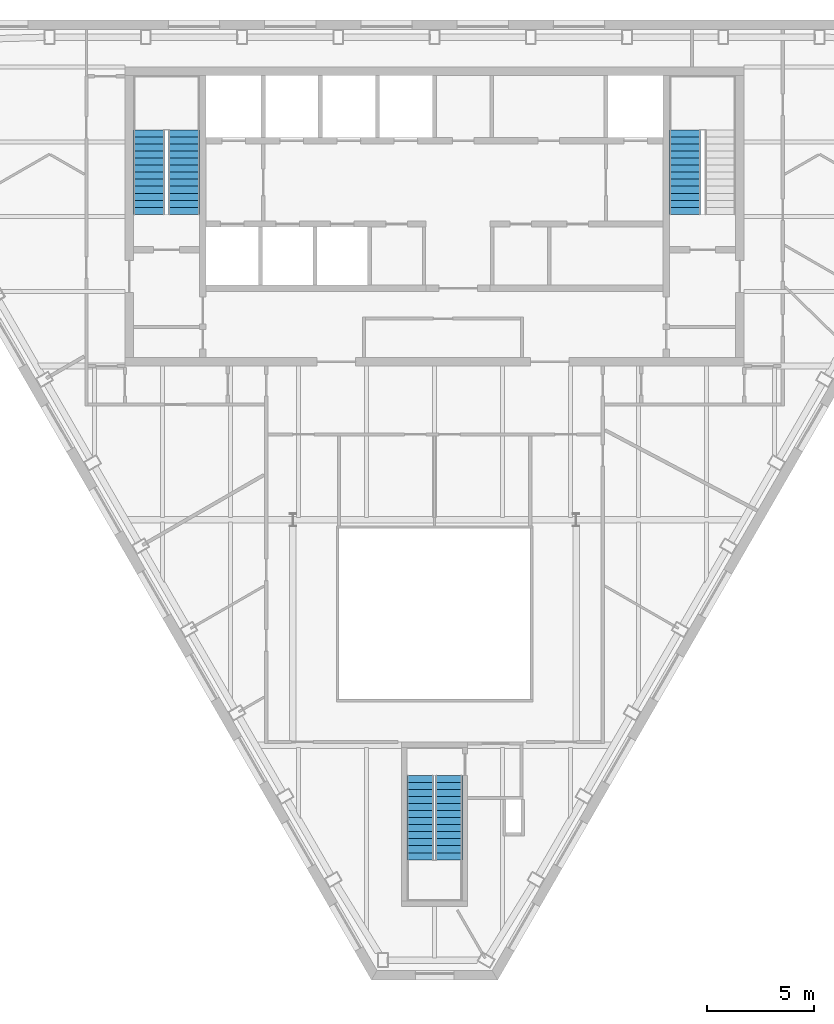
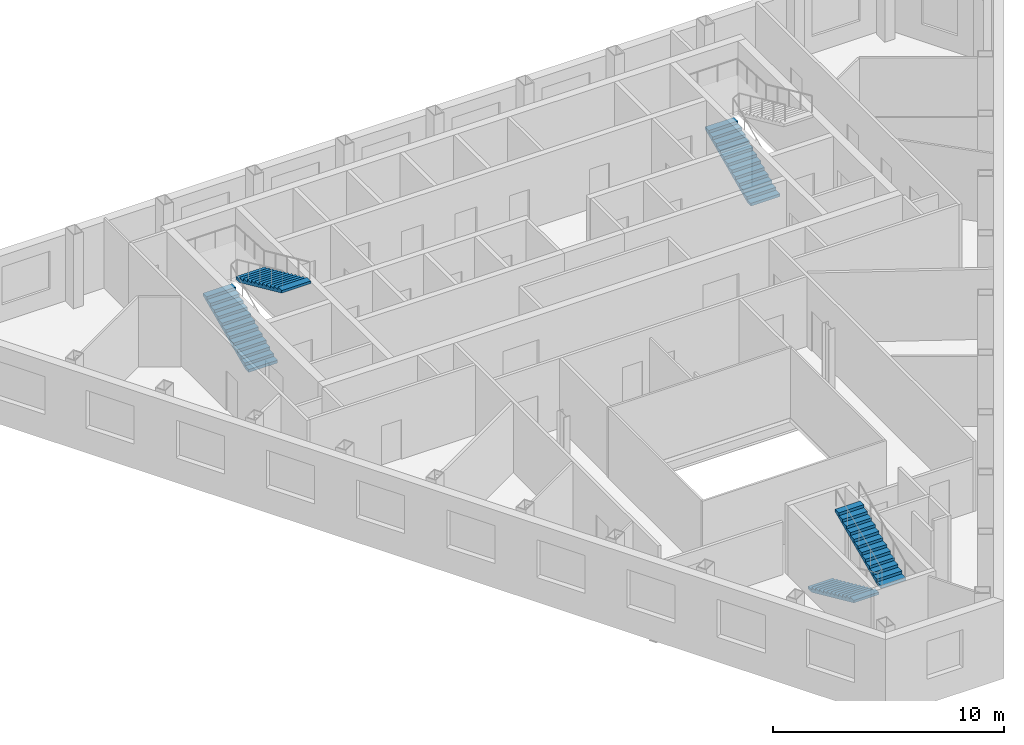
# One storey, part 8 of 10: 5 stair flights, 3 elements without a shape of their own.
"""IFC4 building model written with IfcOpenShell, lengths in metres."""

from ifc_helpers import new_model, si_unit, direction, frame, origin, place, context, subcontext, project, spatial, polygons, material, type_object, element, aggregate, save


model = new_model("IFC4")

# Units and contexts
model_context = context("Model", 3, precision=1e-05, world=origin(), true_north=direction((0.0, 1.0)))
body_context = subcontext(model_context, "Body", "Model", "MODEL_VIEW")
ifc_project = project(units=[si_unit("LENGTHUNIT", "METRE"), si_unit("AREAUNIT", "SQUARE_METRE"), si_unit("VOLUMEUNIT", "CUBIC_METRE"), si_unit("PLANEANGLEUNIT", "RADIAN"), si_unit("MASSUNIT", "GRAM", prefix="KILO")], contexts=[model_context])

# Site, building, storey
site_placement = place(None, origin())
site = spatial("IfcSite", under=ifc_project, at=site_placement, CompositionType="ELEMENT")
building_placement = place(site_placement, origin())
building = spatial("IfcBuilding", under=site, at=building_placement, Name="Njiva Tower", CompositionType="ELEMENT")
storey_placement = place(building_placement, frame((0.0, 0.0, 264.9)))
storey = spatial("IfcBuildingStorey", under=building, at=storey_placement, Name="L60", CompositionType="ELEMENT", Elevation=264.9)

# Stair, stair flights
ifc_material = material(Name="Concrete C40/50", Category="concrete")
stair_type_1 = type_object("IfcStairType", Name="ST1 Exit stair 1250", PredefinedType="HALF_TURN_STAIR", material=ifc_material)
stair_1_placement = place(storey_placement, origin())
stair_1 = element("IfcStair", 1, at=stair_1_placement, inside=storey, type_object=stair_type_1, Name="Stair C", PredefinedType="HALF_TURN_STAIR")
stair_flight_type_1 = type_object("IfcStairFlightType", Name="FL1 Stair flight 1250", PredefinedType="STRAIGHT", material=ifc_material)
stair_flight_1_placement = place(storey_placement, frame((-0.675, -15.16, 0.0), z_axis=(0.0, 0.0, 1.0), x_axis=(0.0, -1.0, 0.0)))
stair_flight_1 = element("IfcStairFlight", 2, at=stair_flight_1_placement, type_object=stair_flight_type_1, Name="ST-C flight 1", NumberOfRisers=13, NumberOfTreads=12, PredefinedType="STRAIGHT", RiserHeight=0.15, TreadLength=0.33, context=body_context, shape_type="Tessellation", body=[
    polygons([(0.0, 0.625, 0.0), (0.0, 0.3125, 0.0), (0.0, 0.0, 0.0), (0.0, -0.3125, 0.0), (0.0, -0.625, 0.0), (0.0, 0.625, 0.15), (0.0, 0.3125, 0.15), (0.0, 0.0, 0.15), (0.0, -0.3125, 0.15), (0.0, -0.625, 0.15), (0.33, 0.625, 0.15), (0.33, 0.3125, 0.15), (0.33, 0.0, 0.15), (0.33, -0.3125, 0.15), (0.33, -0.625, 0.15), (0.33, 0.625, 0.3), (0.33, 0.3125, 0.3), (0.33, 0.0, 0.3), (0.33, -0.3125, 0.3), (0.33, -0.625, 0.3), (0.66, 0.625, 0.3), (0.66, 0.3125, 0.3), (0.66, 0.0, 0.3), (0.66, -0.3125, 0.3), (0.66, -0.625, 0.3), (0.66, 0.625, 0.45), (0.66, 0.3125, 0.45), (0.66, 0.0, 0.45), (0.66, -0.3125, 0.45), (0.66, -0.625, 0.45), (0.99, 0.625, 0.45), (0.99, 0.3125, 0.45), (0.99, 0.0, 0.45), (0.99, -0.3125, 0.45), (0.99, -0.625, 0.45), (0.99, 0.625, 0.6), (0.99, 0.3125, 0.6), (0.99, 0.0, 0.6), (0.99, -0.3125, 0.6), (0.99, -0.625, 0.6), (1.32, 0.625, 0.6), (1.32, 0.3125, 0.6), (1.32, 0.0, 0.6), (1.32, -0.3125, 0.6), (1.32, -0.625, 0.6), (1.32, 0.625, 0.75), (1.32, 0.3125, 0.75), (1.32, 0.0, 0.75), (1.32, -0.3125, 0.75), (1.32, -0.625, 0.75), (1.65, 0.625, 0.75), (1.65, 0.3125, 0.75), (1.65, 0.0, 0.75), (1.65, -0.3125, 0.75), (1.65, -0.625, 0.75), (1.65, 0.625, 0.9), (1.65, 0.3125, 0.9), (1.65, 0.0, 0.9), (1.65, -0.3125, 0.9), (1.65, -0.625, 0.9), (1.98, 0.625, 0.9), (1.98, 0.3125, 0.9), (1.98, 0.0, 0.9), (1.98, -0.3125, 0.9), (1.98, -0.625, 0.9), (1.98, 0.625, 1.05), (1.98, 0.3125, 1.05), (1.98, 0.0, 1.05), (1.98, -0.3125, 1.05), (1.98, -0.625, 1.05), (2.31, 0.625, 1.05), (2.31, 0.3125, 1.05), (2.31, 0.0, 1.05), (2.31, -0.3125, 1.05), (2.31, -0.625, 1.05), (2.31, 0.625, 1.2), (2.31, 0.3125, 1.2), (2.31, 0.0, 1.2), (2.31, -0.3125, 1.2), (2.31, -0.625, 1.2), (2.64, 0.625, 1.2), (2.64, 0.3125, 1.2), (2.64, 0.0, 1.2), (2.64, -0.3125, 1.2), (2.64, -0.625, 1.2), (2.64, 0.625, 1.35), (2.64, 0.3125, 1.35), (2.64, 0.0, 1.35), (2.64, -0.3125, 1.35), (2.64, -0.625, 1.35), (2.97, 0.625, 1.35), (2.97, 0.3125, 1.35), (2.97, 0.0, 1.35), (2.97, -0.3125, 1.35), (2.97, -0.625, 1.35), (2.97, 0.625, 1.5), (2.97, 0.3125, 1.5), (2.97, 0.0, 1.5), (2.97, -0.3125, 1.5), (2.97, -0.625, 1.5), (3.3, 0.625, 1.5), (3.3, 0.3125, 1.5), (3.3, 0.0, 1.5), (3.3, -0.3125, 1.5), (3.3, -0.625, 1.5), (3.3, 0.625, 1.65), (3.3, 0.3125, 1.65), (3.3, 0.0, 1.65), (3.3, -0.3125, 1.65), (3.3, -0.625, 1.65), (3.63, 0.625, 1.65), (3.63, 0.3125, 1.65), (3.63, 0.0, 1.65), (3.63, -0.3125, 1.65), (3.63, -0.625, 1.65), (3.63, 0.625, 1.8), (3.63, 0.3125, 1.8), (3.63, 0.0, 1.8), (3.63, -0.3125, 1.8), (3.63, -0.625, 1.8), (3.96, 0.625, 1.8), (3.96, 0.3125, 1.8), (3.96, 0.0, 1.8), (3.96, -0.3125, 1.8), (3.96, -0.625, 1.8), (3.96, 0.625, 1.6682), (3.96, 0.3125, 1.6682), (3.96, 0.0, 1.6682), (3.96, -0.3125, 1.6682), (3.96, -0.625, 1.6682), (0.29, 0.625, 0.0), (0.29, 0.3125, 0.0), (0.29, 0.0, 0.0), (0.29, -0.3125, 0.0), (0.29, -0.625, 0.0)], [[[1, 6, 11, 16, 21, 26, 31, 36, 41, 46, 51, 56, 61, 66, 71, 76, 81, 86, 91, 96, 101, 106, 111, 116, 121, 126, 131]], [[135, 130, 125, 120, 115, 110, 105, 100, 95, 90, 85, 80, 75, 70, 65, 60, 55, 50, 45, 40, 35, 30, 25, 20, 15, 10, 5]], [[6, 1, 2, 7]], [[7, 2, 3, 8]], [[8, 3, 4, 9]], [[9, 4, 5, 10]], [[11, 6, 7, 12]], [[12, 7, 8, 13]], [[13, 8, 9, 14]], [[14, 9, 10, 15]], [[16, 11, 12, 17]], [[17, 12, 13, 18]], [[18, 13, 14, 19]], [[19, 14, 15, 20]], [[21, 16, 17, 22]], [[22, 17, 18, 23]], [[23, 18, 19, 24]], [[24, 19, 20, 25]], [[26, 21, 22, 27]], [[27, 22, 23, 28]], [[28, 23, 24, 29]], [[29, 24, 25, 30]], [[31, 26, 27, 32]], [[32, 27, 28, 33]], [[33, 28, 29, 34]], [[34, 29, 30, 35]], [[36, 31, 32, 37]], [[37, 32, 33, 38]], [[38, 33, 34, 39]], [[39, 34, 35, 40]], [[41, 36, 37, 42]], [[42, 37, 38, 43]], [[43, 38, 39, 44]], [[44, 39, 40, 45]], [[46, 41, 42, 47]], [[47, 42, 43, 48]], [[48, 43, 44, 49]], [[49, 44, 45, 50]], [[51, 46, 47, 52]], [[52, 47, 48, 53]], [[53, 48, 49, 54]], [[54, 49, 50, 55]], [[56, 51, 52, 57]], [[57, 52, 53, 58]], [[58, 53, 54, 59]], [[59, 54, 55, 60]], [[61, 56, 57, 62]], [[62, 57, 58, 63]], [[63, 58, 59, 64]], [[64, 59, 60, 65]], [[66, 61, 62, 67]], [[67, 62, 63, 68]], [[68, 63, 64, 69]], [[69, 64, 65, 70]], [[71, 66, 67, 72]], [[72, 67, 68, 73]], [[73, 68, 69, 74]], [[74, 69, 70, 75]], [[76, 71, 72, 77]], [[77, 72, 73, 78]], [[78, 73, 74, 79]], [[79, 74, 75, 80]], [[81, 76, 77, 82]], [[82, 77, 78, 83]], [[83, 78, 79, 84]], [[84, 79, 80, 85]], [[86, 81, 82, 87]], [[87, 82, 83, 88]], [[88, 83, 84, 89]], [[89, 84, 85, 90]], [[91, 86, 87, 92]], [[92, 87, 88, 93]], [[93, 88, 89, 94]], [[94, 89, 90, 95]], [[96, 91, 92, 97]], [[97, 92, 93, 98]], [[98, 93, 94, 99]], [[99, 94, 95, 100]], [[101, 96, 97, 102]], [[102, 97, 98, 103]], [[103, 98, 99, 104]], [[104, 99, 100, 105]], [[106, 101, 102, 107]], [[107, 102, 103, 108]], [[108, 103, 104, 109]], [[109, 104, 105, 110]], [[111, 106, 107, 112]], [[112, 107, 108, 113]], [[113, 108, 109, 114]], [[114, 109, 110, 115]], [[116, 111, 112, 117]], [[117, 112, 113, 118]], [[118, 113, 114, 119]], [[119, 114, 115, 120]], [[121, 116, 117, 122]], [[122, 117, 118, 123]], [[123, 118, 119, 124]], [[124, 119, 120, 125]], [[126, 121, 122, 127]], [[127, 122, 123, 128]], [[128, 123, 124, 129]], [[129, 124, 125, 130]], [[131, 126, 127, 132]], [[132, 127, 128, 133]], [[133, 128, 129, 134]], [[134, 129, 130, 135]], [[1, 131, 132, 2]], [[2, 132, 133, 3]], [[3, 133, 134, 4]], [[4, 134, 135, 5]]], closed=True),
])
stair_flight_2_placement = place(storey_placement, frame((0.675, -19.12, 1.95), z_axis=(0.0, 0.0, 1.0), x_axis=(0.0, 1.0, 0.0)))
stair_flight_2 = element("IfcStairFlight", 3, at=stair_flight_2_placement, type_object=stair_flight_type_1, Name="ST-C flight 2", NumberOfRisers=13, NumberOfTreads=12, PredefinedType="STRAIGHT", RiserHeight=0.15, TreadLength=0.33, context=body_context, shape_type="Tessellation", body=[
    polygons([(0.0, 0.625, 0.0), (0.0, 0.3125, 0.0), (0.0, 0.0, 0.0), (0.0, -0.3125, 0.0), (0.0, -0.625, 0.0), (0.0, 0.625, 0.15), (0.0, 0.3125, 0.15), (0.0, 0.0, 0.15), (0.0, -0.3125, 0.15), (0.0, -0.625, 0.15), (0.33, 0.625, 0.15), (0.33, 0.3125, 0.15), (0.33, 0.0, 0.15), (0.33, -0.3125, 0.15), (0.33, -0.625, 0.15), (0.33, 0.625, 0.3), (0.33, 0.3125, 0.3), (0.33, 0.0, 0.3), (0.33, -0.3125, 0.3), (0.33, -0.625, 0.3), (0.66, 0.625, 0.3), (0.66, 0.3125, 0.3), (0.66, 0.0, 0.3), (0.66, -0.3125, 0.3), (0.66, -0.625, 0.3), (0.66, 0.625, 0.45), (0.66, 0.3125, 0.45), (0.66, 0.0, 0.45), (0.66, -0.3125, 0.45), (0.66, -0.625, 0.45), (0.99, 0.625, 0.45), (0.99, 0.3125, 0.45), (0.99, 0.0, 0.45), (0.99, -0.3125, 0.45), (0.99, -0.625, 0.45), (0.99, 0.625, 0.6), (0.99, 0.3125, 0.6), (0.99, 0.0, 0.6), (0.99, -0.3125, 0.6), (0.99, -0.625, 0.6), (1.32, 0.625, 0.6), (1.32, 0.3125, 0.6), (1.32, 0.0, 0.6), (1.32, -0.3125, 0.6), (1.32, -0.625, 0.6), (1.32, 0.625, 0.75), (1.32, 0.3125, 0.75), (1.32, 0.0, 0.75), (1.32, -0.3125, 0.75), (1.32, -0.625, 0.75), (1.65, 0.625, 0.75), (1.65, 0.3125, 0.75), (1.65, 0.0, 0.75), (1.65, -0.3125, 0.75), (1.65, -0.625, 0.75), (1.65, 0.625, 0.9), (1.65, 0.3125, 0.9), (1.65, 0.0, 0.9), (1.65, -0.3125, 0.9), (1.65, -0.625, 0.9), (1.98, 0.625, 0.9), (1.98, 0.3125, 0.9), (1.98, 0.0, 0.9), (1.98, -0.3125, 0.9), (1.98, -0.625, 0.9), (1.98, 0.625, 1.05), (1.98, 0.3125, 1.05), (1.98, 0.0, 1.05), (1.98, -0.3125, 1.05), (1.98, -0.625, 1.05), (2.31, 0.625, 1.05), (2.31, 0.3125, 1.05), (2.31, 0.0, 1.05), (2.31, -0.3125, 1.05), (2.31, -0.625, 1.05), (2.31, 0.625, 1.2), (2.31, 0.3125, 1.2), (2.31, 0.0, 1.2), (2.31, -0.3125, 1.2), (2.31, -0.625, 1.2), (2.64, 0.625, 1.2), (2.64, 0.3125, 1.2), (2.64, 0.0, 1.2), (2.64, -0.3125, 1.2), (2.64, -0.625, 1.2), (2.64, 0.625, 1.35), (2.64, 0.3125, 1.35), (2.64, 0.0, 1.35), (2.64, -0.3125, 1.35), (2.64, -0.625, 1.35), (2.97, 0.625, 1.35), (2.97, 0.3125, 1.35), (2.97, 0.0, 1.35), (2.97, -0.3125, 1.35), (2.97, -0.625, 1.35), (2.97, 0.625, 1.5), (2.97, 0.3125, 1.5), (2.97, 0.0, 1.5), (2.97, -0.3125, 1.5), (2.97, -0.625, 1.5), (3.3, 0.625, 1.5), (3.3, 0.3125, 1.5), (3.3, 0.0, 1.5), (3.3, -0.3125, 1.5), (3.3, -0.625, 1.5), (3.3, 0.625, 1.65), (3.3, 0.3125, 1.65), (3.3, 0.0, 1.65), (3.3, -0.3125, 1.65), (3.3, -0.625, 1.65), (3.63, 0.625, 1.65), (3.63, 0.3125, 1.65), (3.63, 0.0, 1.65), (3.63, -0.3125, 1.65), (3.63, -0.625, 1.65), (3.63, 0.625, 1.8), (3.63, 0.3125, 1.8), (3.63, 0.0, 1.8), (3.63, -0.3125, 1.8), (3.63, -0.625, 1.8), (3.96, 0.625, 1.8), (3.96, 0.3125, 1.8), (3.96, 0.0, 1.8), (3.96, -0.3125, 1.8), (3.96, -0.625, 1.8), (3.96, 0.625, 1.6682), (3.96, 0.3125, 1.6682), (3.96, 0.0, 1.6682), (3.96, -0.3125, 1.6682), (3.96, -0.625, 1.6682), (0.29, 0.625, 0.0), (0.29, 0.3125, 0.0), (0.29, 0.0, 0.0), (0.29, -0.3125, 0.0), (0.29, -0.625, 0.0)], [[[1, 6, 11, 16, 21, 26, 31, 36, 41, 46, 51, 56, 61, 66, 71, 76, 81, 86, 91, 96, 101, 106, 111, 116, 121, 126, 131]], [[135, 130, 125, 120, 115, 110, 105, 100, 95, 90, 85, 80, 75, 70, 65, 60, 55, 50, 45, 40, 35, 30, 25, 20, 15, 10, 5]], [[6, 1, 2, 7]], [[7, 2, 3, 8]], [[8, 3, 4, 9]], [[9, 4, 5, 10]], [[11, 6, 7, 12]], [[12, 7, 8, 13]], [[13, 8, 9, 14]], [[14, 9, 10, 15]], [[16, 11, 12, 17]], [[17, 12, 13, 18]], [[18, 13, 14, 19]], [[19, 14, 15, 20]], [[21, 16, 17, 22]], [[22, 17, 18, 23]], [[23, 18, 19, 24]], [[24, 19, 20, 25]], [[26, 21, 22, 27]], [[27, 22, 23, 28]], [[28, 23, 24, 29]], [[29, 24, 25, 30]], [[31, 26, 27, 32]], [[32, 27, 28, 33]], [[33, 28, 29, 34]], [[34, 29, 30, 35]], [[36, 31, 32, 37]], [[37, 32, 33, 38]], [[38, 33, 34, 39]], [[39, 34, 35, 40]], [[41, 36, 37, 42]], [[42, 37, 38, 43]], [[43, 38, 39, 44]], [[44, 39, 40, 45]], [[46, 41, 42, 47]], [[47, 42, 43, 48]], [[48, 43, 44, 49]], [[49, 44, 45, 50]], [[51, 46, 47, 52]], [[52, 47, 48, 53]], [[53, 48, 49, 54]], [[54, 49, 50, 55]], [[56, 51, 52, 57]], [[57, 52, 53, 58]], [[58, 53, 54, 59]], [[59, 54, 55, 60]], [[61, 56, 57, 62]], [[62, 57, 58, 63]], [[63, 58, 59, 64]], [[64, 59, 60, 65]], [[66, 61, 62, 67]], [[67, 62, 63, 68]], [[68, 63, 64, 69]], [[69, 64, 65, 70]], [[71, 66, 67, 72]], [[72, 67, 68, 73]], [[73, 68, 69, 74]], [[74, 69, 70, 75]], [[76, 71, 72, 77]], [[77, 72, 73, 78]], [[78, 73, 74, 79]], [[79, 74, 75, 80]], [[81, 76, 77, 82]], [[82, 77, 78, 83]], [[83, 78, 79, 84]], [[84, 79, 80, 85]], [[86, 81, 82, 87]], [[87, 82, 83, 88]], [[88, 83, 84, 89]], [[89, 84, 85, 90]], [[91, 86, 87, 92]], [[92, 87, 88, 93]], [[93, 88, 89, 94]], [[94, 89, 90, 95]], [[96, 91, 92, 97]], [[97, 92, 93, 98]], [[98, 93, 94, 99]], [[99, 94, 95, 100]], [[101, 96, 97, 102]], [[102, 97, 98, 103]], [[103, 98, 99, 104]], [[104, 99, 100, 105]], [[106, 101, 102, 107]], [[107, 102, 103, 108]], [[108, 103, 104, 109]], [[109, 104, 105, 110]], [[111, 106, 107, 112]], [[112, 107, 108, 113]], [[113, 108, 109, 114]], [[114, 109, 110, 115]], [[116, 111, 112, 117]], [[117, 112, 113, 118]], [[118, 113, 114, 119]], [[119, 114, 115, 120]], [[121, 116, 117, 122]], [[122, 117, 118, 123]], [[123, 118, 119, 124]], [[124, 119, 120, 125]], [[126, 121, 122, 127]], [[127, 122, 123, 128]], [[128, 123, 124, 129]], [[129, 124, 125, 130]], [[131, 126, 127, 132]], [[132, 127, 128, 133]], [[133, 128, 129, 134]], [[134, 129, 130, 135]], [[1, 131, 132, 2]], [[2, 132, 133, 3]], [[3, 133, 134, 4]], [[4, 134, 135, 5]]], closed=True),
])
aggregate(stair_1, [stair_flight_1, stair_flight_2])

stair_type_2 = type_object("IfcStairType", Name="ST3 Exit stair 1450", PredefinedType="HALF_TURN_STAIR", material=ifc_material)
stair_2_placement = place(storey_placement, origin())
stair_2 = element("IfcStair", 4, at=stair_2_placement, inside=storey, type_object=stair_type_2, Name="Stair A", PredefinedType="HALF_TURN_STAIR")
stair_flight_type_2 = type_object("IfcStairFlightType", Name="FL3 Stair flight 1450", PredefinedType="STRAIGHT", material=ifc_material)
stair_flight_3_placement = place(storey_placement, frame((-13.375, 11.1, 0.0), z_axis=(0.0, 0.0, 1.0), x_axis=(0.0, 1.0, 0.0)))
stair_flight_3 = element("IfcStairFlight", 5, at=stair_flight_3_placement, type_object=stair_flight_type_2, Name="ST-A flight 1", NumberOfRisers=13, NumberOfTreads=12, PredefinedType="STRAIGHT", RiserHeight=0.15, TreadLength=0.33, context=body_context, shape_type="Tessellation", body=[
    polygons([(0.0, 0.725, 0.0), (0.0, 0.3625, 0.0), (0.0, 0.0, 0.0), (0.0, -0.3625, 0.0), (0.0, -0.725, 0.0), (0.0, 0.725, 0.15), (0.0, 0.3625, 0.15), (0.0, 0.0, 0.15), (0.0, -0.3625, 0.15), (0.0, -0.725, 0.15), (0.33, 0.725, 0.15), (0.33, 0.3625, 0.15), (0.33, 0.0, 0.15), (0.33, -0.3625, 0.15), (0.33, -0.725, 0.15), (0.33, 0.725, 0.3), (0.33, 0.3625, 0.3), (0.33, 0.0, 0.3), (0.33, -0.3625, 0.3), (0.33, -0.725, 0.3), (0.66, 0.725, 0.3), (0.66, 0.3625, 0.3), (0.66, 0.0, 0.3), (0.66, -0.3625, 0.3), (0.66, -0.725, 0.3), (0.66, 0.725, 0.45), (0.66, 0.3625, 0.45), (0.66, 0.0, 0.45), (0.66, -0.3625, 0.45), (0.66, -0.725, 0.45), (0.99, 0.725, 0.45), (0.99, 0.3625, 0.45), (0.99, 0.0, 0.45), (0.99, -0.3625, 0.45), (0.99, -0.725, 0.45), (0.99, 0.725, 0.6), (0.99, 0.3625, 0.6), (0.99, 0.0, 0.6), (0.99, -0.3625, 0.6), (0.99, -0.725, 0.6), (1.32, 0.725, 0.6), (1.32, 0.3625, 0.6), (1.32, 0.0, 0.6), (1.32, -0.3625, 0.6), (1.32, -0.725, 0.6), (1.32, 0.725, 0.75), (1.32, 0.3625, 0.75), (1.32, 0.0, 0.75), (1.32, -0.3625, 0.75), (1.32, -0.725, 0.75), (1.65, 0.725, 0.75), (1.65, 0.3625, 0.75), (1.65, 0.0, 0.75), (1.65, -0.3625, 0.75), (1.65, -0.725, 0.75), (1.65, 0.725, 0.9), (1.65, 0.3625, 0.9), (1.65, 0.0, 0.9), (1.65, -0.3625, 0.9), (1.65, -0.725, 0.9), (1.98, 0.725, 0.9), (1.98, 0.3625, 0.9), (1.98, 0.0, 0.9), (1.98, -0.3625, 0.9), (1.98, -0.725, 0.9), (1.98, 0.725, 1.05), (1.98, 0.3625, 1.05), (1.98, 0.0, 1.05), (1.98, -0.3625, 1.05), (1.98, -0.725, 1.05), (2.31, 0.725, 1.05), (2.31, 0.3625, 1.05), (2.31, 0.0, 1.05), (2.31, -0.3625, 1.05), (2.31, -0.725, 1.05), (2.31, 0.725, 1.2), (2.31, 0.3625, 1.2), (2.31, 0.0, 1.2), (2.31, -0.3625, 1.2), (2.31, -0.725, 1.2), (2.64, 0.725, 1.2), (2.64, 0.3625, 1.2), (2.64, 0.0, 1.2), (2.64, -0.3625, 1.2), (2.64, -0.725, 1.2), (2.64, 0.725, 1.35), (2.64, 0.3625, 1.35), (2.64, 0.0, 1.35), (2.64, -0.3625, 1.35), (2.64, -0.725, 1.35), (2.97, 0.725, 1.35), (2.97, 0.3625, 1.35), (2.97, 0.0, 1.35), (2.97, -0.3625, 1.35), (2.97, -0.725, 1.35), (2.97, 0.725, 1.5), (2.97, 0.3625, 1.5), (2.97, 0.0, 1.5), (2.97, -0.3625, 1.5), (2.97, -0.725, 1.5), (3.3, 0.725, 1.5), (3.3, 0.3625, 1.5), (3.3, 0.0, 1.5), (3.3, -0.3625, 1.5), (3.3, -0.725, 1.5), (3.3, 0.725, 1.65), (3.3, 0.3625, 1.65), (3.3, 0.0, 1.65), (3.3, -0.3625, 1.65), (3.3, -0.725, 1.65), (3.63, 0.725, 1.65), (3.63, 0.3625, 1.65), (3.63, 0.0, 1.65), (3.63, -0.3625, 1.65), (3.63, -0.725, 1.65), (3.63, 0.725, 1.8), (3.63, 0.3625, 1.8), (3.63, 0.0, 1.8), (3.63, -0.3625, 1.8), (3.63, -0.725, 1.8), (3.96, 0.725, 1.8), (3.96, 0.3625, 1.8), (3.96, 0.0, 1.8), (3.96, -0.3625, 1.8), (3.96, -0.725, 1.8), (3.96, 0.725, 1.6682), (3.96, 0.3625, 1.6682), (3.96, 0.0, 1.6682), (3.96, -0.3625, 1.6682), (3.96, -0.725, 1.6682), (0.29, 0.725, 0.0), (0.29, 0.3625, 0.0), (0.29, 0.0, 0.0), (0.29, -0.3625, 0.0), (0.29, -0.725, 0.0)], [[[1, 6, 11, 16, 21, 26, 31, 36, 41, 46, 51, 56, 61, 66, 71, 76, 81, 86, 91, 96, 101, 106, 111, 116, 121, 126, 131]], [[135, 130, 125, 120, 115, 110, 105, 100, 95, 90, 85, 80, 75, 70, 65, 60, 55, 50, 45, 40, 35, 30, 25, 20, 15, 10, 5]], [[6, 1, 2, 7]], [[7, 2, 3, 8]], [[8, 3, 4, 9]], [[9, 4, 5, 10]], [[11, 6, 7, 12]], [[12, 7, 8, 13]], [[13, 8, 9, 14]], [[14, 9, 10, 15]], [[16, 11, 12, 17]], [[17, 12, 13, 18]], [[18, 13, 14, 19]], [[19, 14, 15, 20]], [[21, 16, 17, 22]], [[22, 17, 18, 23]], [[23, 18, 19, 24]], [[24, 19, 20, 25]], [[26, 21, 22, 27]], [[27, 22, 23, 28]], [[28, 23, 24, 29]], [[29, 24, 25, 30]], [[31, 26, 27, 32]], [[32, 27, 28, 33]], [[33, 28, 29, 34]], [[34, 29, 30, 35]], [[36, 31, 32, 37]], [[37, 32, 33, 38]], [[38, 33, 34, 39]], [[39, 34, 35, 40]], [[41, 36, 37, 42]], [[42, 37, 38, 43]], [[43, 38, 39, 44]], [[44, 39, 40, 45]], [[46, 41, 42, 47]], [[47, 42, 43, 48]], [[48, 43, 44, 49]], [[49, 44, 45, 50]], [[51, 46, 47, 52]], [[52, 47, 48, 53]], [[53, 48, 49, 54]], [[54, 49, 50, 55]], [[56, 51, 52, 57]], [[57, 52, 53, 58]], [[58, 53, 54, 59]], [[59, 54, 55, 60]], [[61, 56, 57, 62]], [[62, 57, 58, 63]], [[63, 58, 59, 64]], [[64, 59, 60, 65]], [[66, 61, 62, 67]], [[67, 62, 63, 68]], [[68, 63, 64, 69]], [[69, 64, 65, 70]], [[71, 66, 67, 72]], [[72, 67, 68, 73]], [[73, 68, 69, 74]], [[74, 69, 70, 75]], [[76, 71, 72, 77]], [[77, 72, 73, 78]], [[78, 73, 74, 79]], [[79, 74, 75, 80]], [[81, 76, 77, 82]], [[82, 77, 78, 83]], [[83, 78, 79, 84]], [[84, 79, 80, 85]], [[86, 81, 82, 87]], [[87, 82, 83, 88]], [[88, 83, 84, 89]], [[89, 84, 85, 90]], [[91, 86, 87, 92]], [[92, 87, 88, 93]], [[93, 88, 89, 94]], [[94, 89, 90, 95]], [[96, 91, 92, 97]], [[97, 92, 93, 98]], [[98, 93, 94, 99]], [[99, 94, 95, 100]], [[101, 96, 97, 102]], [[102, 97, 98, 103]], [[103, 98, 99, 104]], [[104, 99, 100, 105]], [[106, 101, 102, 107]], [[107, 102, 103, 108]], [[108, 103, 104, 109]], [[109, 104, 105, 110]], [[111, 106, 107, 112]], [[112, 107, 108, 113]], [[113, 108, 109, 114]], [[114, 109, 110, 115]], [[116, 111, 112, 117]], [[117, 112, 113, 118]], [[118, 113, 114, 119]], [[119, 114, 115, 120]], [[121, 116, 117, 122]], [[122, 117, 118, 123]], [[123, 118, 119, 124]], [[124, 119, 120, 125]], [[126, 121, 122, 127]], [[127, 122, 123, 128]], [[128, 123, 124, 129]], [[129, 124, 125, 130]], [[131, 126, 127, 132]], [[132, 127, 128, 133]], [[133, 128, 129, 134]], [[134, 129, 130, 135]], [[1, 131, 132, 2]], [[2, 132, 133, 3]], [[3, 133, 134, 4]], [[4, 134, 135, 5]]], closed=True),
])
stair_flight_4_placement = place(storey_placement, frame((-11.725, 15.06, 1.95), z_axis=(0.0, 0.0, 1.0), x_axis=(0.0, -1.0, 0.0)))
stair_flight_4 = element("IfcStairFlight", 6, at=stair_flight_4_placement, type_object=stair_flight_type_2, Name="ST-A flight 2", NumberOfRisers=13, NumberOfTreads=12, PredefinedType="STRAIGHT", RiserHeight=0.15, TreadLength=0.33, context=body_context, shape_type="Tessellation", body=[
    polygons([(0.0, 0.725, 0.0), (0.0, 0.3625, 0.0), (0.0, 0.0, 0.0), (0.0, -0.3625, 0.0), (0.0, -0.725, 0.0), (0.0, 0.725, 0.15), (0.0, 0.3625, 0.15), (0.0, 0.0, 0.15), (0.0, -0.3625, 0.15), (0.0, -0.725, 0.15), (0.33, 0.725, 0.15), (0.33, 0.3625, 0.15), (0.33, 0.0, 0.15), (0.33, -0.3625, 0.15), (0.33, -0.725, 0.15), (0.33, 0.725, 0.3), (0.33, 0.3625, 0.3), (0.33, 0.0, 0.3), (0.33, -0.3625, 0.3), (0.33, -0.725, 0.3), (0.66, 0.725, 0.3), (0.66, 0.3625, 0.3), (0.66, 0.0, 0.3), (0.66, -0.3625, 0.3), (0.66, -0.725, 0.3), (0.66, 0.725, 0.45), (0.66, 0.3625, 0.45), (0.66, 0.0, 0.45), (0.66, -0.3625, 0.45), (0.66, -0.725, 0.45), (0.99, 0.725, 0.45), (0.99, 0.3625, 0.45), (0.99, 0.0, 0.45), (0.99, -0.3625, 0.45), (0.99, -0.725, 0.45), (0.99, 0.725, 0.6), (0.99, 0.3625, 0.6), (0.99, 0.0, 0.6), (0.99, -0.3625, 0.6), (0.99, -0.725, 0.6), (1.32, 0.725, 0.6), (1.32, 0.3625, 0.6), (1.32, 0.0, 0.6), (1.32, -0.3625, 0.6), (1.32, -0.725, 0.6), (1.32, 0.725, 0.75), (1.32, 0.3625, 0.75), (1.32, 0.0, 0.75), (1.32, -0.3625, 0.75), (1.32, -0.725, 0.75), (1.65, 0.725, 0.75), (1.65, 0.3625, 0.75), (1.65, 0.0, 0.75), (1.65, -0.3625, 0.75), (1.65, -0.725, 0.75), (1.65, 0.725, 0.9), (1.65, 0.3625, 0.9), (1.65, 0.0, 0.9), (1.65, -0.3625, 0.9), (1.65, -0.725, 0.9), (1.98, 0.725, 0.9), (1.98, 0.3625, 0.9), (1.98, 0.0, 0.9), (1.98, -0.3625, 0.9), (1.98, -0.725, 0.9), (1.98, 0.725, 1.05), (1.98, 0.3625, 1.05), (1.98, 0.0, 1.05), (1.98, -0.3625, 1.05), (1.98, -0.725, 1.05), (2.31, 0.725, 1.05), (2.31, 0.3625, 1.05), (2.31, 0.0, 1.05), (2.31, -0.3625, 1.05), (2.31, -0.725, 1.05), (2.31, 0.725, 1.2), (2.31, 0.3625, 1.2), (2.31, 0.0, 1.2), (2.31, -0.3625, 1.2), (2.31, -0.725, 1.2), (2.64, 0.725, 1.2), (2.64, 0.3625, 1.2), (2.64, 0.0, 1.2), (2.64, -0.3625, 1.2), (2.64, -0.725, 1.2), (2.64, 0.725, 1.35), (2.64, 0.3625, 1.35), (2.64, 0.0, 1.35), (2.64, -0.3625, 1.35), (2.64, -0.725, 1.35), (2.97, 0.725, 1.35), (2.97, 0.3625, 1.35), (2.97, 0.0, 1.35), (2.97, -0.3625, 1.35), (2.97, -0.725, 1.35), (2.97, 0.725, 1.5), (2.97, 0.3625, 1.5), (2.97, 0.0, 1.5), (2.97, -0.3625, 1.5), (2.97, -0.725, 1.5), (3.3, 0.725, 1.5), (3.3, 0.3625, 1.5), (3.3, 0.0, 1.5), (3.3, -0.3625, 1.5), (3.3, -0.725, 1.5), (3.3, 0.725, 1.65), (3.3, 0.3625, 1.65), (3.3, 0.0, 1.65), (3.3, -0.3625, 1.65), (3.3, -0.725, 1.65), (3.63, 0.725, 1.65), (3.63, 0.3625, 1.65), (3.63, 0.0, 1.65), (3.63, -0.3625, 1.65), (3.63, -0.725, 1.65), (3.63, 0.725, 1.8), (3.63, 0.3625, 1.8), (3.63, 0.0, 1.8), (3.63, -0.3625, 1.8), (3.63, -0.725, 1.8), (3.96, 0.725, 1.8), (3.96, 0.3625, 1.8), (3.96, 0.0, 1.8), (3.96, -0.3625, 1.8), (3.96, -0.725, 1.8), (3.96, 0.725, 1.6682), (3.96, 0.3625, 1.6682), (3.96, 0.0, 1.6682), (3.96, -0.3625, 1.6682), (3.96, -0.725, 1.6682), (0.29, 0.725, 0.0), (0.29, 0.3625, 0.0), (0.29, 0.0, 0.0), (0.29, -0.3625, 0.0), (0.29, -0.725, 0.0)], [[[1, 6, 11, 16, 21, 26, 31, 36, 41, 46, 51, 56, 61, 66, 71, 76, 81, 86, 91, 96, 101, 106, 111, 116, 121, 126, 131]], [[135, 130, 125, 120, 115, 110, 105, 100, 95, 90, 85, 80, 75, 70, 65, 60, 55, 50, 45, 40, 35, 30, 25, 20, 15, 10, 5]], [[6, 1, 2, 7]], [[7, 2, 3, 8]], [[8, 3, 4, 9]], [[9, 4, 5, 10]], [[11, 6, 7, 12]], [[12, 7, 8, 13]], [[13, 8, 9, 14]], [[14, 9, 10, 15]], [[16, 11, 12, 17]], [[17, 12, 13, 18]], [[18, 13, 14, 19]], [[19, 14, 15, 20]], [[21, 16, 17, 22]], [[22, 17, 18, 23]], [[23, 18, 19, 24]], [[24, 19, 20, 25]], [[26, 21, 22, 27]], [[27, 22, 23, 28]], [[28, 23, 24, 29]], [[29, 24, 25, 30]], [[31, 26, 27, 32]], [[32, 27, 28, 33]], [[33, 28, 29, 34]], [[34, 29, 30, 35]], [[36, 31, 32, 37]], [[37, 32, 33, 38]], [[38, 33, 34, 39]], [[39, 34, 35, 40]], [[41, 36, 37, 42]], [[42, 37, 38, 43]], [[43, 38, 39, 44]], [[44, 39, 40, 45]], [[46, 41, 42, 47]], [[47, 42, 43, 48]], [[48, 43, 44, 49]], [[49, 44, 45, 50]], [[51, 46, 47, 52]], [[52, 47, 48, 53]], [[53, 48, 49, 54]], [[54, 49, 50, 55]], [[56, 51, 52, 57]], [[57, 52, 53, 58]], [[58, 53, 54, 59]], [[59, 54, 55, 60]], [[61, 56, 57, 62]], [[62, 57, 58, 63]], [[63, 58, 59, 64]], [[64, 59, 60, 65]], [[66, 61, 62, 67]], [[67, 62, 63, 68]], [[68, 63, 64, 69]], [[69, 64, 65, 70]], [[71, 66, 67, 72]], [[72, 67, 68, 73]], [[73, 68, 69, 74]], [[74, 69, 70, 75]], [[76, 71, 72, 77]], [[77, 72, 73, 78]], [[78, 73, 74, 79]], [[79, 74, 75, 80]], [[81, 76, 77, 82]], [[82, 77, 78, 83]], [[83, 78, 79, 84]], [[84, 79, 80, 85]], [[86, 81, 82, 87]], [[87, 82, 83, 88]], [[88, 83, 84, 89]], [[89, 84, 85, 90]], [[91, 86, 87, 92]], [[92, 87, 88, 93]], [[93, 88, 89, 94]], [[94, 89, 90, 95]], [[96, 91, 92, 97]], [[97, 92, 93, 98]], [[98, 93, 94, 99]], [[99, 94, 95, 100]], [[101, 96, 97, 102]], [[102, 97, 98, 103]], [[103, 98, 99, 104]], [[104, 99, 100, 105]], [[106, 101, 102, 107]], [[107, 102, 103, 108]], [[108, 103, 104, 109]], [[109, 104, 105, 110]], [[111, 106, 107, 112]], [[112, 107, 108, 113]], [[113, 108, 109, 114]], [[114, 109, 110, 115]], [[116, 111, 112, 117]], [[117, 112, 113, 118]], [[118, 113, 114, 119]], [[119, 114, 115, 120]], [[121, 116, 117, 122]], [[122, 117, 118, 123]], [[123, 118, 119, 124]], [[124, 119, 120, 125]], [[126, 121, 122, 127]], [[127, 122, 123, 128]], [[128, 123, 124, 129]], [[129, 124, 125, 130]], [[131, 126, 127, 132]], [[132, 127, 128, 133]], [[133, 128, 129, 134]], [[134, 129, 130, 135]], [[1, 131, 132, 2]], [[2, 132, 133, 3]], [[3, 133, 134, 4]], [[4, 134, 135, 5]]], closed=True),
])
aggregate(stair_2, [stair_flight_3, stair_flight_4])

# Stair, stair flight
stair_3_placement = place(storey_placement, origin())
stair_3 = element("IfcStair", 7, at=stair_3_placement, inside=storey, type_object=stair_type_2, Name="Stair B", PredefinedType="HALF_TURN_STAIR")
stair_flight_5_placement = place(storey_placement, frame((11.725, 11.1, 0.0), z_axis=(0.0, 0.0, 1.0), x_axis=(0.0, 1.0, 0.0)))
stair_flight_5 = element("IfcStairFlight", 8, at=stair_flight_5_placement, type_object=stair_flight_type_2, Name="ST-B flight 1", NumberOfRisers=13, NumberOfTreads=12, PredefinedType="STRAIGHT", RiserHeight=0.15, TreadLength=0.33, context=body_context, shape_type="Tessellation", body=[
    polygons([(0.0, 0.725, 0.0), (0.0, 0.3625, 0.0), (0.0, 0.0, 0.0), (0.0, -0.3625, 0.0), (0.0, -0.725, 0.0), (0.0, 0.725, 0.15), (0.0, 0.3625, 0.15), (0.0, 0.0, 0.15), (0.0, -0.3625, 0.15), (0.0, -0.725, 0.15), (0.33, 0.725, 0.15), (0.33, 0.3625, 0.15), (0.33, 0.0, 0.15), (0.33, -0.3625, 0.15), (0.33, -0.725, 0.15), (0.33, 0.725, 0.3), (0.33, 0.3625, 0.3), (0.33, 0.0, 0.3), (0.33, -0.3625, 0.3), (0.33, -0.725, 0.3), (0.66, 0.725, 0.3), (0.66, 0.3625, 0.3), (0.66, 0.0, 0.3), (0.66, -0.3625, 0.3), (0.66, -0.725, 0.3), (0.66, 0.725, 0.45), (0.66, 0.3625, 0.45), (0.66, 0.0, 0.45), (0.66, -0.3625, 0.45), (0.66, -0.725, 0.45), (0.99, 0.725, 0.45), (0.99, 0.3625, 0.45), (0.99, 0.0, 0.45), (0.99, -0.3625, 0.45), (0.99, -0.725, 0.45), (0.99, 0.725, 0.6), (0.99, 0.3625, 0.6), (0.99, 0.0, 0.6), (0.99, -0.3625, 0.6), (0.99, -0.725, 0.6), (1.32, 0.725, 0.6), (1.32, 0.3625, 0.6), (1.32, 0.0, 0.6), (1.32, -0.3625, 0.6), (1.32, -0.725, 0.6), (1.32, 0.725, 0.75), (1.32, 0.3625, 0.75), (1.32, 0.0, 0.75), (1.32, -0.3625, 0.75), (1.32, -0.725, 0.75), (1.65, 0.725, 0.75), (1.65, 0.3625, 0.75), (1.65, 0.0, 0.75), (1.65, -0.3625, 0.75), (1.65, -0.725, 0.75), (1.65, 0.725, 0.9), (1.65, 0.3625, 0.9), (1.65, 0.0, 0.9), (1.65, -0.3625, 0.9), (1.65, -0.725, 0.9), (1.98, 0.725, 0.9), (1.98, 0.3625, 0.9), (1.98, 0.0, 0.9), (1.98, -0.3625, 0.9), (1.98, -0.725, 0.9), (1.98, 0.725, 1.05), (1.98, 0.3625, 1.05), (1.98, 0.0, 1.05), (1.98, -0.3625, 1.05), (1.98, -0.725, 1.05), (2.31, 0.725, 1.05), (2.31, 0.3625, 1.05), (2.31, 0.0, 1.05), (2.31, -0.3625, 1.05), (2.31, -0.725, 1.05), (2.31, 0.725, 1.2), (2.31, 0.3625, 1.2), (2.31, 0.0, 1.2), (2.31, -0.3625, 1.2), (2.31, -0.725, 1.2), (2.64, 0.725, 1.2), (2.64, 0.3625, 1.2), (2.64, 0.0, 1.2), (2.64, -0.3625, 1.2), (2.64, -0.725, 1.2), (2.64, 0.725, 1.35), (2.64, 0.3625, 1.35), (2.64, 0.0, 1.35), (2.64, -0.3625, 1.35), (2.64, -0.725, 1.35), (2.97, 0.725, 1.35), (2.97, 0.3625, 1.35), (2.97, 0.0, 1.35), (2.97, -0.3625, 1.35), (2.97, -0.725, 1.35), (2.97, 0.725, 1.5), (2.97, 0.3625, 1.5), (2.97, 0.0, 1.5), (2.97, -0.3625, 1.5), (2.97, -0.725, 1.5), (3.3, 0.725, 1.5), (3.3, 0.3625, 1.5), (3.3, 0.0, 1.5), (3.3, -0.3625, 1.5), (3.3, -0.725, 1.5), (3.3, 0.725, 1.65), (3.3, 0.3625, 1.65), (3.3, 0.0, 1.65), (3.3, -0.3625, 1.65), (3.3, -0.725, 1.65), (3.63, 0.725, 1.65), (3.63, 0.3625, 1.65), (3.63, 0.0, 1.65), (3.63, -0.3625, 1.65), (3.63, -0.725, 1.65), (3.63, 0.725, 1.8), (3.63, 0.3625, 1.8), (3.63, 0.0, 1.8), (3.63, -0.3625, 1.8), (3.63, -0.725, 1.8), (3.96, 0.725, 1.8), (3.96, 0.3625, 1.8), (3.96, 0.0, 1.8), (3.96, -0.3625, 1.8), (3.96, -0.725, 1.8), (3.96, 0.725, 1.6682), (3.96, 0.3625, 1.6682), (3.96, 0.0, 1.6682), (3.96, -0.3625, 1.6682), (3.96, -0.725, 1.6682), (0.29, 0.725, 0.0), (0.29, 0.3625, 0.0), (0.29, 0.0, 0.0), (0.29, -0.3625, 0.0), (0.29, -0.725, 0.0)], [[[1, 6, 11, 16, 21, 26, 31, 36, 41, 46, 51, 56, 61, 66, 71, 76, 81, 86, 91, 96, 101, 106, 111, 116, 121, 126, 131]], [[135, 130, 125, 120, 115, 110, 105, 100, 95, 90, 85, 80, 75, 70, 65, 60, 55, 50, 45, 40, 35, 30, 25, 20, 15, 10, 5]], [[6, 1, 2, 7]], [[7, 2, 3, 8]], [[8, 3, 4, 9]], [[9, 4, 5, 10]], [[11, 6, 7, 12]], [[12, 7, 8, 13]], [[13, 8, 9, 14]], [[14, 9, 10, 15]], [[16, 11, 12, 17]], [[17, 12, 13, 18]], [[18, 13, 14, 19]], [[19, 14, 15, 20]], [[21, 16, 17, 22]], [[22, 17, 18, 23]], [[23, 18, 19, 24]], [[24, 19, 20, 25]], [[26, 21, 22, 27]], [[27, 22, 23, 28]], [[28, 23, 24, 29]], [[29, 24, 25, 30]], [[31, 26, 27, 32]], [[32, 27, 28, 33]], [[33, 28, 29, 34]], [[34, 29, 30, 35]], [[36, 31, 32, 37]], [[37, 32, 33, 38]], [[38, 33, 34, 39]], [[39, 34, 35, 40]], [[41, 36, 37, 42]], [[42, 37, 38, 43]], [[43, 38, 39, 44]], [[44, 39, 40, 45]], [[46, 41, 42, 47]], [[47, 42, 43, 48]], [[48, 43, 44, 49]], [[49, 44, 45, 50]], [[51, 46, 47, 52]], [[52, 47, 48, 53]], [[53, 48, 49, 54]], [[54, 49, 50, 55]], [[56, 51, 52, 57]], [[57, 52, 53, 58]], [[58, 53, 54, 59]], [[59, 54, 55, 60]], [[61, 56, 57, 62]], [[62, 57, 58, 63]], [[63, 58, 59, 64]], [[64, 59, 60, 65]], [[66, 61, 62, 67]], [[67, 62, 63, 68]], [[68, 63, 64, 69]], [[69, 64, 65, 70]], [[71, 66, 67, 72]], [[72, 67, 68, 73]], [[73, 68, 69, 74]], [[74, 69, 70, 75]], [[76, 71, 72, 77]], [[77, 72, 73, 78]], [[78, 73, 74, 79]], [[79, 74, 75, 80]], [[81, 76, 77, 82]], [[82, 77, 78, 83]], [[83, 78, 79, 84]], [[84, 79, 80, 85]], [[86, 81, 82, 87]], [[87, 82, 83, 88]], [[88, 83, 84, 89]], [[89, 84, 85, 90]], [[91, 86, 87, 92]], [[92, 87, 88, 93]], [[93, 88, 89, 94]], [[94, 89, 90, 95]], [[96, 91, 92, 97]], [[97, 92, 93, 98]], [[98, 93, 94, 99]], [[99, 94, 95, 100]], [[101, 96, 97, 102]], [[102, 97, 98, 103]], [[103, 98, 99, 104]], [[104, 99, 100, 105]], [[106, 101, 102, 107]], [[107, 102, 103, 108]], [[108, 103, 104, 109]], [[109, 104, 105, 110]], [[111, 106, 107, 112]], [[112, 107, 108, 113]], [[113, 108, 109, 114]], [[114, 109, 110, 115]], [[116, 111, 112, 117]], [[117, 112, 113, 118]], [[118, 113, 114, 119]], [[119, 114, 115, 120]], [[121, 116, 117, 122]], [[122, 117, 118, 123]], [[123, 118, 119, 124]], [[124, 119, 120, 125]], [[126, 121, 122, 127]], [[127, 122, 123, 128]], [[128, 123, 124, 129]], [[129, 124, 125, 130]], [[131, 126, 127, 132]], [[132, 127, 128, 133]], [[133, 128, 129, 134]], [[134, 129, 130, 135]], [[1, 131, 132, 2]], [[2, 132, 133, 3]], [[3, 133, 134, 4]], [[4, 134, 135, 5]]], closed=True),
])
aggregate(stair_3, [stair_flight_5])

save(model, "model.ifc")
